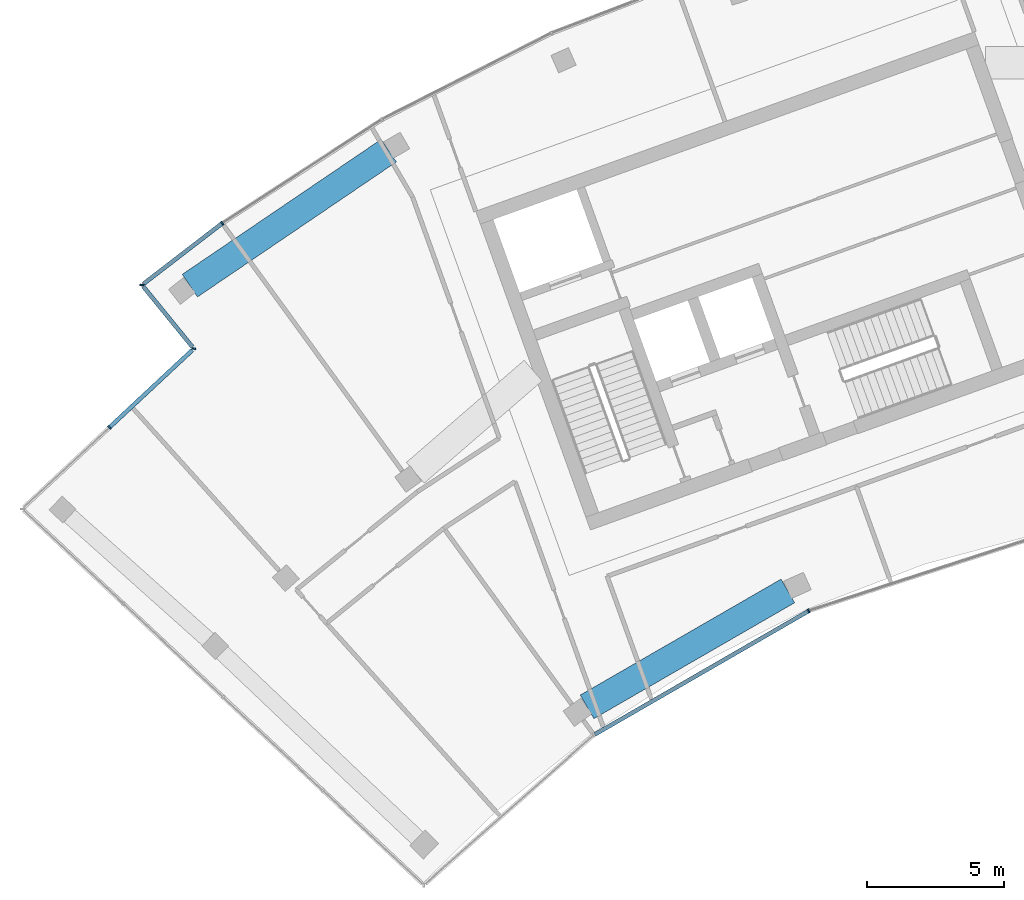
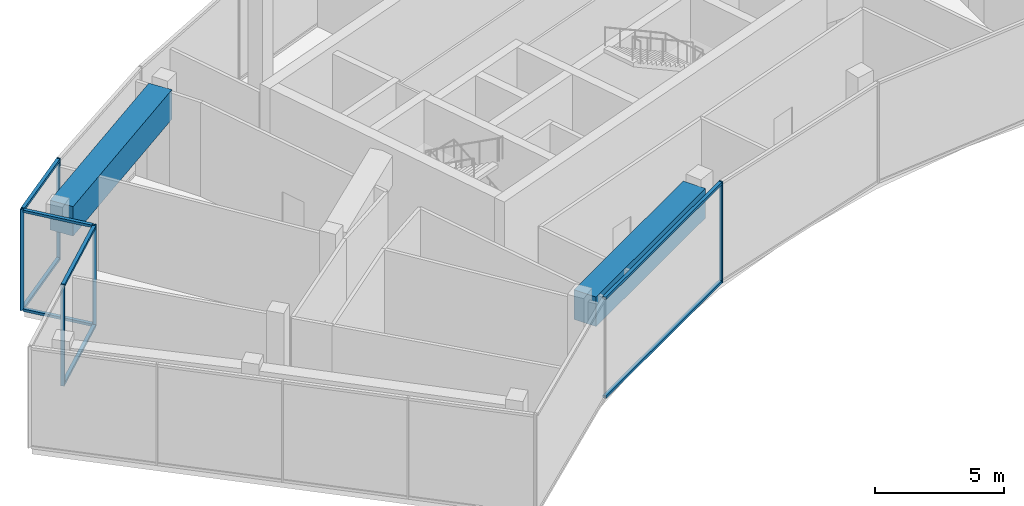
# One storey, part 3 of 17: 13 members, 2 beams, 4 elements without a shape of their own.
"""IFC4 building model written with IfcOpenShell, lengths in metres."""

from ifc_helpers import new_model, si_unit, direction, frame, origin, origin_2d, place, context, subcontext, project, spatial, rectangle, extrude, material, layer, layer_set, material_profile, profile_set, type_object, element, aggregate, save


model = new_model("IFC4")

# Units and contexts
model_context = context("Model", 3, precision=1e-05, world=origin(), true_north=direction((0.0, 1.0)))
body_context = subcontext(model_context, "Body", "Model", "MODEL_VIEW")
ifc_project = project(units=[si_unit("LENGTHUNIT", "METRE"), si_unit("AREAUNIT", "SQUARE_METRE"), si_unit("VOLUMEUNIT", "CUBIC_METRE"), si_unit("PLANEANGLEUNIT", "RADIAN"), si_unit("MASSUNIT", "GRAM", prefix="KILO")], contexts=[model_context])

# Site, building, storey
site_placement = place(None, origin())
site = spatial("IfcSite", under=ifc_project, at=site_placement, CompositionType="ELEMENT")
building_placement = place(site_placement, origin())
building = spatial("IfcBuilding", under=site, at=building_placement, Name="Stone Belt Terrace Tower", CompositionType="ELEMENT")
storey_placement = place(building_placement, frame((0.0, 0.0, 318.199951171875)))
storey = spatial("IfcBuildingStorey", under=building, at=storey_placement, Name="L77", CompositionType="ELEMENT", Elevation=318.199951171875)

# Curtain wall, member
ifc_material_1 = material(Name="Aluminium 6063-T6 anodised frame", Category="aluminium")
ifc_layer = layer(ifc_material_1, 0.14990234375)
ifc_layer_set = layer_set([ifc_layer], Name="CW-C stick curtain wall, horn ends and notches")
curtain_wall_type = type_object("IfcCurtainWallType", Name="CW-C stick curtain wall, horn ends and notches", PredefinedType="NOTDEFINED", material=ifc_layer_set)
curtain_wall_1_placement = place(storey_placement, origin())
curtain_wall_1 = element("IfcCurtainWall", 1, at=curtain_wall_1_placement, inside=storey, type_object=curtain_wall_type, Name="CW-C concave face L77", PredefinedType="NOTDEFINED")
ifc_material_profile_1 = material_profile(ifc_material_1, rectangle(XDim=0.14990234375, YDim=0.06005859375, at=origin_2d()), Name="Aluminium 6063-T6 60x150")
ifc_profile_set_1 = profile_set([ifc_material_profile_1], Name="Aluminium 6063-T6 anodised frame")
member_type_1 = type_object("IfcMemberType", Name="CW-C mullion 60 x 150", PredefinedType="MULLION", material=ifc_profile_set_1)
member_1_placement = place(storey_placement, frame((-17.662353515625, 39.67041015625, 0.0), z_axis=(0.0, 0.0, 1.0), x_axis=(-0.406736643076, 0.913545457643, 0.0)))
member_1 = element("IfcMember", 2, at=member_1_placement, type_object=member_type_1, Name="CW-C mullion 3", PredefinedType="MULLION", context=body_context, shape_type="SweptSolid", body=[
    extrude(rectangle(XDim=0.14990234375, YDim=0.06005859375, at=origin_2d()), origin(), (0.0, 0.0, 1.0), 4.800048828125),
])

curtain_wall_2_placement = place(storey_placement, origin())
curtain_wall_2 = element("IfcCurtainWall", 3, at=curtain_wall_2_placement, inside=storey, type_object=curtain_wall_type, Name="CW-C convex face L77", PredefinedType="NOTDEFINED")
member_2_placement = place(storey_placement, frame((-39.131103515625, 53.86083984375, 0.0), z_axis=(0.0, 0.0, 1.0), x_axis=(0.577587125789, -0.816329046477, 0.0)))
member_2 = element("IfcMember", 4, at=member_2_placement, type_object=member_type_1, Name="CW-C mullion 14", PredefinedType="MULLION", context=body_context, shape_type="SweptSolid", body=[
    extrude(rectangle(XDim=0.14990234375, YDim=0.06005859375, at=origin_2d()), origin(), (0.0, 0.0, 1.0), 4.800048828125),
])

curtain_wall_3_placement = place(storey_placement, origin())
curtain_wall_3 = element("IfcCurtainWall", 5, at=curtain_wall_3_placement, inside=storey, type_object=curtain_wall_type, Name="CW-C notch face L77", PredefinedType="NOTDEFINED")
member_3_placement = place(storey_placement, frame((-42.068359375, 51.60205078125, 0.0), z_axis=(0.0, 0.0, 1.0), x_axis=(0.993258004644, -0.115924700604, 0.0)))
member_3 = element("IfcMember", 6, at=member_3_placement, type_object=member_type_1, Name="CW-C mullion 1", PredefinedType="MULLION", context=body_context, shape_type="SweptSolid", body=[
    extrude(rectangle(XDim=0.14990234375, YDim=0.06005859375, at=origin_2d()), origin(), (0.0, 0.0, 1.0), 4.800048828125),
])

# Curtain wall, members
curtain_wall_4_placement = place(storey_placement, origin())
curtain_wall_4 = element("IfcCurtainWall", 7, at=curtain_wall_4_placement, inside=storey, type_object=curtain_wall_type, Name="CW-C notch face L77", PredefinedType="NOTDEFINED")
member_4_placement = place(storey_placement, frame((-40.1708984375, 49.269287109375, 0.0), z_axis=(0.0, 0.0, 1.0), x_axis=(0.997639702696, -0.068666029474, 0.0)))
member_4 = element("IfcMember", 8, at=member_4_placement, type_object=member_type_1, Name="CW-C mullion 1", PredefinedType="MULLION", context=body_context, shape_type="SweptSolid", body=[
    extrude(rectangle(XDim=0.14990234375, YDim=0.06005859375, at=origin_2d()), origin(), (0.0, 0.0, 1.0), 4.800048828125),
])
member_5_placement = place(storey_placement, frame((-43.260009765625, 46.388671875, 0.0), z_axis=(0.0, 0.0, 1.0), x_axis=(0.682013767261, -0.731339333871, 0.0)))
member_5 = element("IfcMember", 9, at=member_5_placement, type_object=member_type_1, Name="CW-C mullion 2", PredefinedType="MULLION", context=body_context, shape_type="SweptSolid", body=[
    extrude(rectangle(XDim=0.14990234375, YDim=0.06005859375, at=origin_2d()), origin(), (0.0, 0.0, 1.0), 4.800048828125),
])

# Member
ifc_material_profile_2 = material_profile(ifc_material_1, rectangle(XDim=0.14990234375, YDim=0.1201171875, at=origin_2d()), Name="Aluminium 6063-T6 150x120")
ifc_profile_set_2 = profile_set([ifc_material_profile_2], Name="Aluminium 6063-T6 anodised frame")
member_type_2 = type_object("IfcMemberType", Name="CW-C transom 120 x 150", PredefinedType="USERDEFINED", material=ifc_profile_set_2)
member_6_placement = place(storey_placement, frame((-25.492431640625, 35.149658203125, 0.06005859375), z_axis=(0.866018510292, 0.500011939689, 0.0), x_axis=(-0.500011939689, 0.866018510292, 0.0)))
member_6 = element("IfcMember", 10, at=member_6_placement, type_object=member_type_2, Name="CW-C transom 2.1", ObjectType="TRANSOM", PredefinedType="USERDEFINED", context=body_context, shape_type="SweptSolid", body=[
    extrude(rectangle(XDim=0.14990234375, YDim=0.1201171875, at=origin_2d()), origin(), (0.0, 0.0, 1.0), 9.003662109375),
])

member_7_placement = place(storey_placement, frame((-25.492431640625, 35.149658203125, 4.739990234375), z_axis=(0.866018510292, 0.500011939689, 0.0), x_axis=(-0.500011939689, 0.866018510292, 0.0)))
member_7 = element("IfcMember", 11, at=member_7_placement, type_object=member_type_2, Name="CW-C transom 2.2", ObjectType="TRANSOM", PredefinedType="USERDEFINED", context=body_context, shape_type="SweptSolid", body=[
    extrude(rectangle(XDim=0.14990234375, YDim=0.1201171875, at=origin_2d()), origin(), (0.0, 0.0, 1.0), 9.003662109375),
])

aggregate(curtain_wall_1, [member_1, member_6, member_7])

member_8_placement = place(storey_placement, frame((-39.1572265625, 53.8408203125, 0.06005859375), z_axis=(-0.79269461464, -0.609618936648, 0.0), x_axis=(0.609618936648, -0.79269461464, 0.0)))
member_8 = element("IfcMember", 12, at=member_8_placement, type_object=member_type_2, Name="CW-C transom 14.1", ObjectType="TRANSOM", PredefinedType="USERDEFINED", context=body_context, shape_type="SweptSolid", body=[
    extrude(rectangle(XDim=0.14990234375, YDim=0.1201171875, at=origin_2d()), origin(), (0.0, 0.0, 1.0), 3.597900390625),
])

member_9_placement = place(storey_placement, frame((-39.1572265625, 53.8408203125, 4.739990234375), z_axis=(-0.79269461464, -0.609618936648, 0.0), x_axis=(0.609618936648, -0.79269461464, 0.0)))
member_9 = element("IfcMember", 13, at=member_9_placement, type_object=member_type_2, Name="CW-C transom 14.2", ObjectType="TRANSOM", PredefinedType="USERDEFINED", context=body_context, shape_type="SweptSolid", body=[
    extrude(rectangle(XDim=0.14990234375, YDim=0.1201171875, at=origin_2d()), origin(), (0.0, 0.0, 1.0), 3.597900390625),
])

aggregate(curtain_wall_2, [member_2, member_8, member_9])

member_10_placement = place(storey_placement, frame((-42.021240234375, 51.5439453125, 0.06005859375), z_axis=(0.631026504781, -0.775761271439, 0.0), x_axis=(0.775761271439, 0.631026504781, 0.0)))
member_10 = element("IfcMember", 14, at=member_10_placement, type_object=member_type_2, Name="CW-C transom 1.1", ObjectType="TRANSOM", PredefinedType="USERDEFINED", context=body_context, shape_type="SweptSolid", body=[
    extrude(rectangle(XDim=0.14990234375, YDim=0.1201171875, at=origin_2d()), origin(), (0.0, 0.0, 1.0), 2.859130859375),
])

member_11_placement = place(storey_placement, frame((-42.021240234375, 51.5439453125, 4.739990234375), z_axis=(0.631026504781, -0.775761271439, 0.0), x_axis=(0.775761271439, 0.631026504781, 0.0)))
member_11 = element("IfcMember", 15, at=member_11_placement, type_object=member_type_2, Name="CW-C transom 1.2", ObjectType="TRANSOM", PredefinedType="USERDEFINED", context=body_context, shape_type="SweptSolid", body=[
    extrude(rectangle(XDim=0.14990234375, YDim=0.1201171875, at=origin_2d()), origin(), (0.0, 0.0, 1.0), 2.859130859375),
])

aggregate(curtain_wall_3, [member_3, member_10, member_11])

member_12_placement = place(storey_placement, frame((-40.224365234375, 49.21923828125, 0.06005859375), z_axis=(-0.731382255625, -0.681967738355, 0.0), x_axis=(0.681967738355, -0.731382255625, 0.0)))
member_12 = element("IfcMember", 16, at=member_12_placement, type_object=member_type_2, Name="CW-C transom 1.1", ObjectType="TRANSOM", PredefinedType="USERDEFINED", context=body_context, shape_type="SweptSolid", body=[
    extrude(rectangle(XDim=0.14990234375, YDim=0.1201171875, at=origin_2d()), origin(), (0.0, 0.0, 1.0), 4.12060546875),
])

member_13_placement = place(storey_placement, frame((-40.224365234375, 49.21923828125, 4.739990234375), z_axis=(-0.731382255625, -0.681967738355, 0.0), x_axis=(0.681967738355, -0.731382255625, 0.0)))
member_13 = element("IfcMember", 17, at=member_13_placement, type_object=member_type_2, Name="CW-C transom 1.2", ObjectType="TRANSOM", PredefinedType="USERDEFINED", context=body_context, shape_type="SweptSolid", body=[
    extrude(rectangle(XDim=0.14990234375, YDim=0.1201171875, at=origin_2d()), origin(), (0.0, 0.0, 1.0), 4.12060546875),
])

aggregate(curtain_wall_4, [member_4, member_5, member_12, member_13])

# Beams
ifc_material_2 = material(Name="Concrete B80", Category="concrete")
ifc_material_profile_3 = material_profile(ifc_material_2, rectangle(XDim=1.0, YDim=1.39990234375, at=origin_2d()), Name="RC 1000x1400")
ifc_profile_set_3 = profile_set([ifc_material_profile_3], Name="Concrete B80")
beam_type = type_object("IfcBeamType", Name="Transfer beam RC 1000x1400 B80", PredefinedType="BEAM", material=ifc_profile_set_3)
beam_1_placement = place(storey_placement, frame((-25.77587890625, 36.157958984375, 3.75), z_axis=(0.866034212668, 0.499984742257, 0.0), x_axis=(-0.499984742257, 0.866034212668, 0.0)))
element("IfcBeam", 18, at=beam_1_placement, inside=storey, type_object=beam_type, Name="Transfer beam L77 PP16-P18", PredefinedType="BEAM", context=body_context, shape_type="SweptSolid", body=[
    extrude(rectangle(XDim=1.0, YDim=1.39990234375, at=origin_2d()), origin(), (0.0, 0.0, 1.0), 8.487060546875),
])
beam_2_placement = place(storey_placement, frame((-40.3154296875, 51.57763671875, 3.75), z_axis=(0.827471630352, 0.561507525294, 0.0), x_axis=(-0.561507525294, 0.827471630352, 0.0)))
element("IfcBeam", 19, at=beam_2_placement, inside=storey, type_object=beam_type, Name="Transfer beam L77 RRNA-R17", PredefinedType="BEAM", context=body_context, shape_type="SweptSolid", body=[
    extrude(rectangle(XDim=1.0, YDim=1.39990234375, at=origin_2d()), origin(), (0.0, 0.0, 1.0), 8.798583984375),
])

save(model, "model.ifc")
